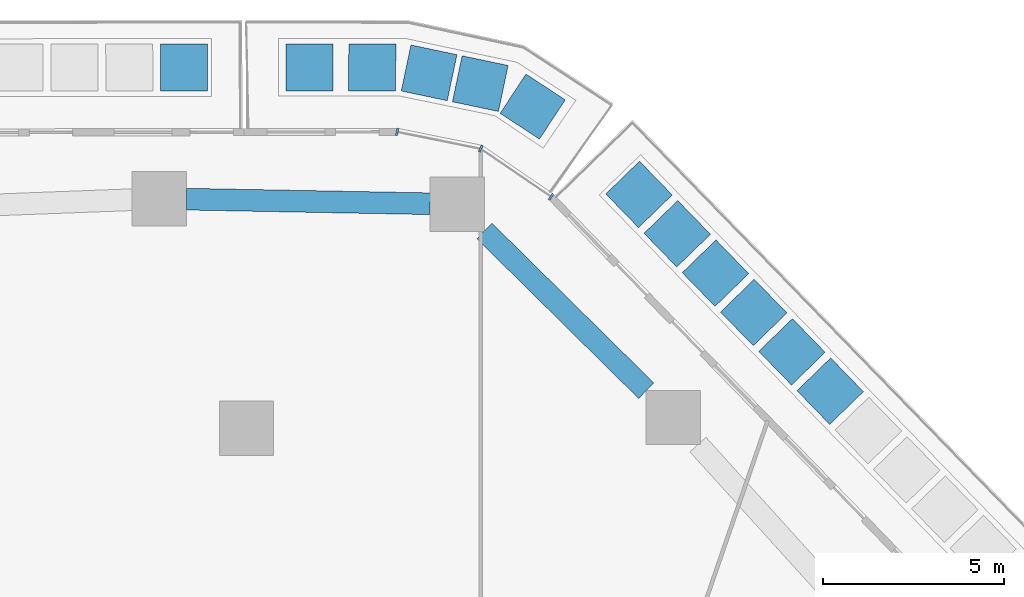
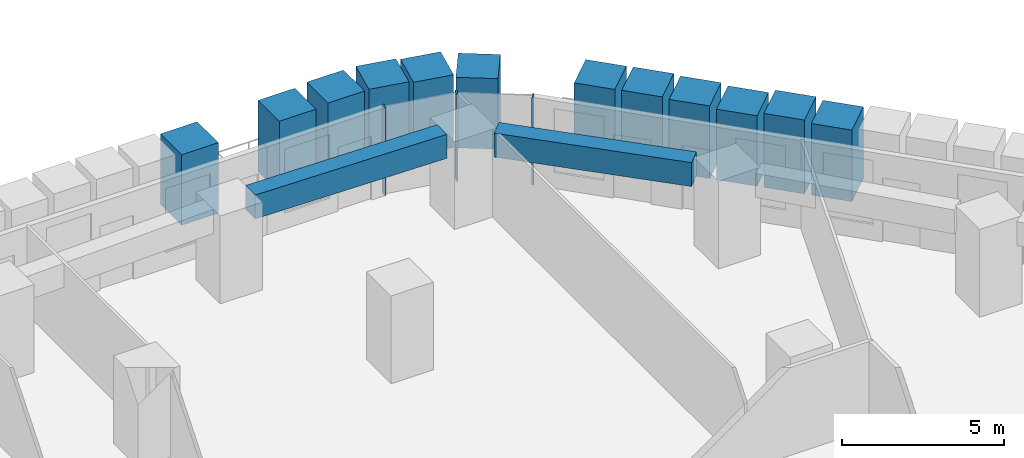
# One storey, part 10 of 26: 15 members, 2 beams, 1 element without a shape of its own.
"""IFC4 building model written with IfcOpenShell, lengths in metres."""

from ifc_helpers import new_model, si_unit, direction, frame, origin, origin_2d, place, context, subcontext, project, spatial, rectangle, extrude, material, layer, layer_set, material_profile, profile_set, type_object, element, aggregate, save


model = new_model("IFC4")

# Units and contexts
model_context = context("Model", 3, precision=1e-05, world=origin(), true_north=direction((0.0, 1.0)))
body_context = subcontext(model_context, "Body", "Model", "MODEL_VIEW")
ifc_project = project(units=[si_unit("LENGTHUNIT", "METRE"), si_unit("AREAUNIT", "SQUARE_METRE"), si_unit("VOLUMEUNIT", "CUBIC_METRE"), si_unit("PLANEANGLEUNIT", "RADIAN"), si_unit("MASSUNIT", "GRAM", prefix="KILO")], contexts=[model_context])

# Site, building, storey
site_placement = place(None, origin())
site = spatial("IfcSite", under=ifc_project, at=site_placement, CompositionType="ELEMENT")
building_placement = place(site_placement, origin())
building = spatial("IfcBuilding", under=site, at=building_placement, Name="Dongbaek Canopy Tower", CompositionType="ELEMENT")
storey_placement = place(building_placement, frame((0.0, 0.0, 66.199951171875)))
storey = spatial("IfcBuildingStorey", under=building, at=storey_placement, Name="L12", CompositionType="ELEMENT", Elevation=66.199951171875)

# Curtain wall, members
ifc_material_1 = material(Name="Aluminium 6063-T6 pale anodised", Category="aluminium")
ifc_layer = layer(ifc_material_1, 0.199951171875)
ifc_layer_set = layer_set([ifc_layer], Name="CW-1 unitised tower curtain wall")
curtain_wall_type = type_object("IfcCurtainWallType", Name="CW-1 unitised tower curtain wall", PredefinedType="NOTDEFINED", material=ifc_layer_set)
curtain_wall_placement = place(storey_placement, origin())
curtain_wall = element("IfcCurtainWall", 1, at=curtain_wall_placement, inside=storey, type_object=curtain_wall_type, Name="CW-1 curtain wall K1.1", PredefinedType="NOTDEFINED")
ifc_material_2 = material(Name="Aluminium 6063-T6 pale anodised", Category="aluminium")
ifc_material_profile_1 = material_profile(ifc_material_2, rectangle(XDim=0.199951171875, YDim=0.06005859375, at=origin_2d()), Name="CW-1 mullion 60 x 200")
ifc_profile_set_1 = profile_set([ifc_material_profile_1], Name="Aluminium 6063-T6 pale anodised")
member_type_1 = type_object("IfcMemberType", Name="CW-1 mullion 60 x 200", PredefinedType="MULLION", material=ifc_profile_set_1)
member_1_placement = place(storey_placement, frame((17.42236328125, 33.400146484375, 0.0), z_axis=(0.0, 0.0, 1.0), x_axis=(0.564195527321, 0.825641209577, 0.0)))
member_1 = element("IfcMember", 2, at=member_1_placement, type_object=member_type_1, Name="CW-1 mullion K1.1.1", PredefinedType="MULLION", context=body_context, shape_type="SweptSolid", body=[
    extrude(rectangle(XDim=0.199951171875, YDim=0.06005859375, at=origin_2d()), origin(), (0.0, 0.0, 1.0), 3.300048828125),
])
member_2_placement = place(storey_placement, frame((15.47607421875, 34.72998046875, 0.0), z_axis=(0.0, 0.0, 1.0), x_axis=(0.388645391083, 0.921387410371, 0.0)))
member_2 = element("IfcMember", 3, at=member_2_placement, type_object=member_type_1, Name="CW-1 mullion K1.1.2", PredefinedType="MULLION", context=body_context, shape_type="SweptSolid", body=[
    extrude(rectangle(XDim=0.199951171875, YDim=0.06005859375, at=origin_2d()), origin(), (0.0, 0.0, 1.0), 3.300048828125),
])
member_3_placement = place(storey_placement, frame((13.16552734375, 35.19580078125, 0.0), z_axis=(0.0, 0.0, 1.0), x_axis=(0.19755519685, 0.980291764832, 0.0)))
member_3 = element("IfcMember", 4, at=member_3_placement, type_object=member_type_1, Name="CW-1 mullion K1.1.3", PredefinedType="MULLION", context=body_context, shape_type="SweptSolid", body=[
    extrude(rectangle(XDim=0.199951171875, YDim=0.06005859375, at=origin_2d()), origin(), (0.0, 0.0, 1.0), 3.300048828125),
])
aggregate(curtain_wall, [member_1, member_2, member_3])

# Beams
ifc_material_3 = material(Name="Concrete C80", Category="concrete")
ifc_material_profile_2 = material_profile(ifc_material_3, rectangle(XDim=0.60009765625, YDim=0.89990234375, at=origin_2d()), Name="RC EDGE BEAM 600x900 C80")
ifc_profile_set_2 = profile_set([ifc_material_profile_2], Name="Concrete C80")
beam_type = type_object("IfcBeamType", Name="RC EDGE BEAM 600x900 C80", PredefinedType="BEAM", material=ifc_profile_set_2)
beam_1_placement = place(storey_placement, frame((7.339111328125, 33.3349609375, 2.85009765625), z_axis=(0.999822704828, -0.018829734762, 0.0), x_axis=(0.018829734762, 0.999822704828, 0.0)))
element("IfcBeam", 5, at=beam_1_placement, inside=storey, type_object=beam_type, Name="EDGEBEAM:L12:16", PredefinedType="BEAM", context=body_context, shape_type="SweptSolid", body=[
    extrude(rectangle(XDim=0.60009765625, YDim=0.89990234375, at=origin_2d()), origin(), (0.0, 0.0, 1.0), 6.7421875),
])
beam_2_placement = place(storey_placement, frame((15.580078125, 32.453857421875, 2.85009765625), z_axis=(0.711712436236, -0.702470930435, 0.0), x_axis=(0.702470930435, 0.711712436236, 0.0)))
element("IfcBeam", 6, at=beam_2_placement, inside=storey, type_object=beam_type, Name="EDGEBEAM:L12:17", PredefinedType="BEAM", context=body_context, shape_type="SweptSolid", body=[
    extrude(rectangle(XDim=0.60009765625, YDim=0.89990234375, at=origin_2d()), origin(), (0.0, 0.0, 1.0), 6.287353515625),
])

# Members
ifc_material_4 = material(Name="Concrete C40/50 planter mass with planting", Category="concrete")
ifc_material_profile_3 = material_profile(ifc_material_4, rectangle(XDim=1.300048828125, YDim=1.300048828125, at=origin_2d()), Name="Terrace PLANTER shrub mass 1300 x 1300")
ifc_profile_set_3 = profile_set([ifc_material_profile_3], Name="Concrete C40/50 planter mass with planting")
member_type_2 = type_object("IfcMemberType", Name="Terrace PLANTER shrub mass 1300 x 1300", PredefinedType="USERDEFINED", material=ifc_profile_set_3)
member_4_placement = place(storey_placement, frame((25.142333984375, 28.02392578125, 0.420166015625), z_axis=(0.0, 0.0, 1.0), x_axis=(0.717186200853, 0.696881592027, 0.0)))
element("IfcMember", 7, at=member_4_placement, inside=storey, type_object=member_type_2, Name="Planter shrubs L12 1.8", ObjectType="PLANTER", PredefinedType="USERDEFINED", context=body_context, shape_type="SweptSolid", body=[
    extrude(rectangle(XDim=1.300048828125, YDim=1.300048828125, at=origin_2d()), origin(), (0.0, 0.0, 1.0), 2.68994140625),
])
member_5_placement = place(storey_placement, frame((24.084716796875, 29.112060546875, 0.420166015625), z_axis=(0.0, 0.0, 1.0), x_axis=(0.717186200853, 0.696881592027, 0.0)))
element("IfcMember", 8, at=member_5_placement, inside=storey, type_object=member_type_2, Name="Planter shrubs L12 1.9", ObjectType="PLANTER", PredefinedType="USERDEFINED", context=body_context, shape_type="SweptSolid", body=[
    extrude(rectangle(XDim=1.300048828125, YDim=1.300048828125, at=origin_2d()), origin(), (0.0, 0.0, 1.0), 2.77978515625),
])
member_6_placement = place(storey_placement, frame((23.02734375, 30.200439453125, 0.420166015625), z_axis=(0.0, 0.0, 1.0), x_axis=(0.717186200853, 0.696881592027, 0.0)))
element("IfcMember", 9, at=member_6_placement, inside=storey, type_object=member_type_2, Name="Planter shrubs L12 1.10", ObjectType="PLANTER", PredefinedType="USERDEFINED", context=body_context, shape_type="SweptSolid", body=[
    extrude(rectangle(XDim=1.300048828125, YDim=1.300048828125, at=origin_2d()), origin(), (0.0, 0.0, 1.0), 2.64990234375),
])
member_7_placement = place(storey_placement, frame((21.969970703125, 31.28857421875, 0.420166015625), z_axis=(0.0, 0.0, 1.0), x_axis=(0.717186200853, 0.696881592027, 0.0)))
element("IfcMember", 10, at=member_7_placement, inside=storey, type_object=member_type_2, Name="Planter shrubs L12 1.11", ObjectType="PLANTER", PredefinedType="USERDEFINED", context=body_context, shape_type="SweptSolid", body=[
    extrude(rectangle(XDim=1.300048828125, YDim=1.300048828125, at=origin_2d()), origin(), (0.0, 0.0, 1.0), 2.72998046875),
])
member_8_placement = place(storey_placement, frame((20.91259765625, 32.376953125, 0.420166015625), z_axis=(0.0, 0.0, 1.0), x_axis=(0.717186200853, 0.696881592027, 0.0)))
element("IfcMember", 11, at=member_8_placement, inside=storey, type_object=member_type_2, Name="Planter shrubs L12 1.12", ObjectType="PLANTER", PredefinedType="USERDEFINED", context=body_context, shape_type="SweptSolid", body=[
    extrude(rectangle(XDim=1.300048828125, YDim=1.300048828125, at=origin_2d()), origin(), (0.0, 0.0, 1.0), 2.77978515625),
])
member_9_placement = place(storey_placement, frame((19.85498046875, 33.465087890625, 0.420166015625), z_axis=(0.0, 0.0, 1.0), x_axis=(0.717186200853, 0.696881592027, 0.0)))
element("IfcMember", 12, at=member_9_placement, inside=storey, type_object=member_type_2, Name="Planter shrubs L12 1.13", ObjectType="PLANTER", PredefinedType="USERDEFINED", context=body_context, shape_type="SweptSolid", body=[
    extrude(rectangle(XDim=1.300048828125, YDim=1.300048828125, at=origin_2d()), origin(), (0.0, 0.0, 1.0), 2.769775390625),
])
for number, where, z_axis, x_axis, name in (
    (13, (7.273681640625, 36.977294921875, 0.420166015625), (0.0, 0.0, 1.0), (-0.00143427852, 0.999998971422, 0.0), "Planter shrubs L12 2.1"),
    (14, (16.914306640625, 35.894775390625, 0.420166015625), (0.0, 0.0, 1.0), (0.548368961582, 0.836236498829, 0.0), "Planter shrubs L12 6.1"),
):
    element("IfcMember", number, at=place(storey_placement, frame(where, z_axis=z_axis, x_axis=x_axis)), inside=storey, type_object=member_type_2, Name=name, ObjectType="PLANTER", PredefinedType="USERDEFINED", context=body_context, shape_type="SweptSolid", body=[
        extrude(rectangle(XDim=1.300048828125, YDim=1.300048828125, at=origin_2d()), origin(), (0.0, 0.0, 1.0), 2.64990234375),
    ])
member_10_placement = place(storey_placement, frame((15.46484375, 36.5302734375, 0.420166015625), z_axis=(0.0, 0.0, 1.0), x_axis=(0.206127523953, 0.978525137065, 0.0)))
element("IfcMember", 15, at=member_10_placement, inside=storey, type_object=member_type_2, Name="Planter shrubs L12 6.2", ObjectType="PLANTER", PredefinedType="USERDEFINED", context=body_context, shape_type="SweptSolid", body=[
    extrude(rectangle(XDim=1.300048828125, YDim=1.300048828125, at=origin_2d()), origin(), (0.0, 0.0, 1.0), 2.72998046875),
])
member_11_placement = place(storey_placement, frame((14.049560546875, 36.828369140625, 0.420166015625), z_axis=(0.0, 0.0, 1.0), x_axis=(0.206127523953, 0.978525137065, 0.0)))
element("IfcMember", 16, at=member_11_placement, inside=storey, type_object=member_type_2, Name="Planter shrubs L12 6.3", ObjectType="PLANTER", PredefinedType="USERDEFINED", context=body_context, shape_type="SweptSolid", body=[
    extrude(rectangle(XDim=1.300048828125, YDim=1.300048828125, at=origin_2d()), origin(), (0.0, 0.0, 1.0), 2.77978515625),
])
member_12_placement = place(storey_placement, frame((12.476806640625, 36.978515625, 0.420166015625), z_axis=(0.0, 0.0, 1.0), x_axis=(0.001013072927, 0.999999486841, 0.0)))
element("IfcMember", 17, at=member_12_placement, inside=storey, type_object=member_type_2, Name="Planter shrubs L12 6.4", ObjectType="PLANTER", PredefinedType="USERDEFINED", context=body_context, shape_type="SweptSolid", body=[
    extrude(rectangle(XDim=1.300048828125, YDim=1.300048828125, at=origin_2d()), origin(), (0.0, 0.0, 1.0), 2.769775390625),
])
member_13_placement = place(storey_placement, frame((10.746826171875, 36.980224609375, 0.420166015625), z_axis=(0.0, 0.0, 1.0), x_axis=(0.001013072927, 0.999999486841, 0.0)))
element("IfcMember", 18, at=member_13_placement, inside=storey, type_object=member_type_2, Name="Planter shrubs L12 6.5", ObjectType="PLANTER", PredefinedType="USERDEFINED", context=body_context, shape_type="SweptSolid", body=[
    extrude(rectangle(XDim=1.300048828125, YDim=1.300048828125, at=origin_2d()), origin(), (0.0, 0.0, 1.0), 2.68994140625),
])

save(model, "model.ifc")
